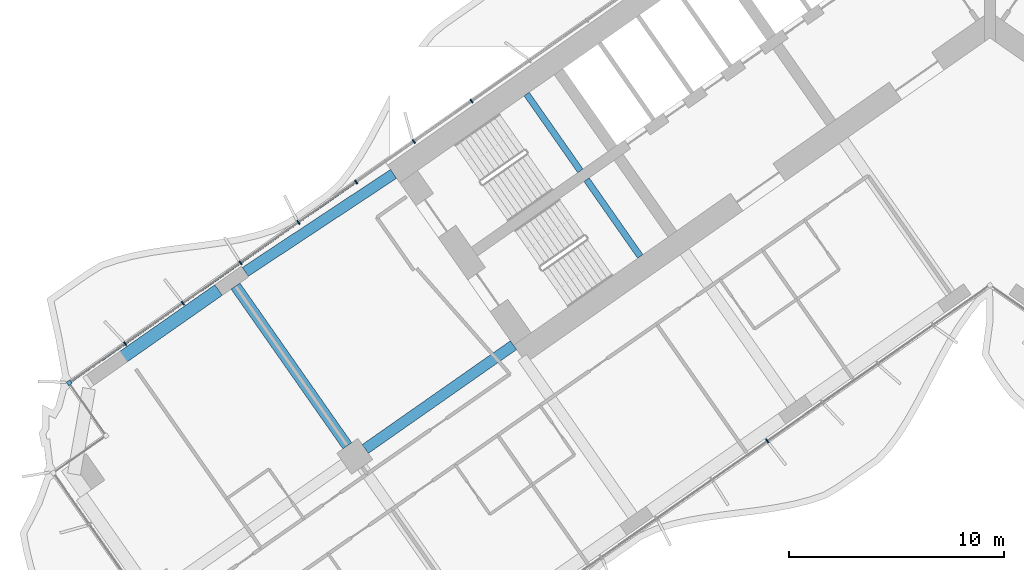
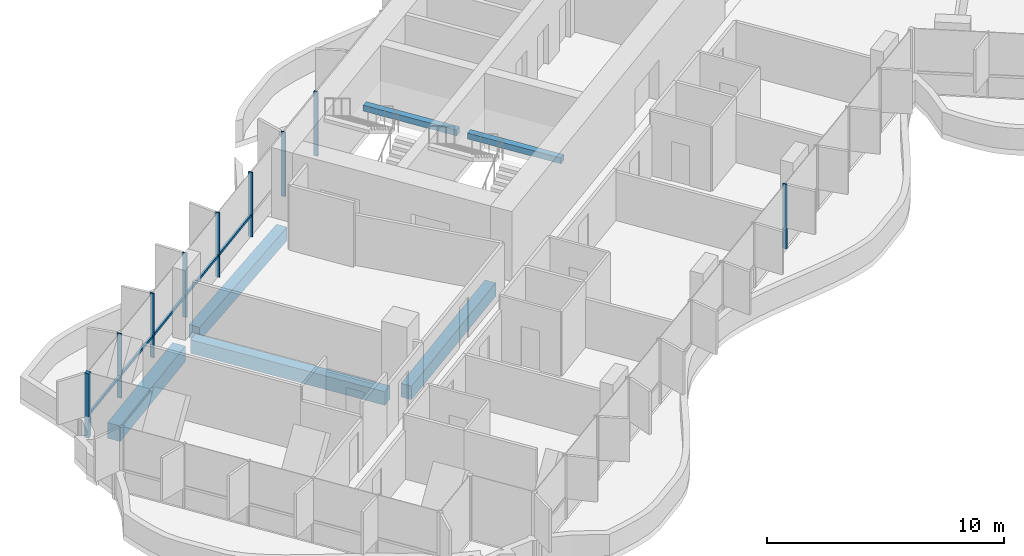
# One storey, part 4 of 23: 10 members, 6 beams, 2 elements without a shape of their own.
"""IFC4 building model written with IfcOpenShell, lengths in metres."""

from ifc_helpers import new_model, si_unit, direction, frame, origin, origin_2d, place, context, subcontext, project, spatial, rectangle, extrude, material, material_profile, profile_set, type_object, element, aggregate, save


model = new_model("IFC4")

# Units and contexts
model_context = context("Model", 3, precision=1e-05, world=origin(), true_north=direction((0.0, 1.0)))
body_context = subcontext(model_context, "Body", "Model", "MODEL_VIEW")
ifc_project = project(units=[si_unit("LENGTHUNIT", "METRE"), si_unit("AREAUNIT", "SQUARE_METRE"), si_unit("VOLUMEUNIT", "CUBIC_METRE"), si_unit("PLANEANGLEUNIT", "RADIAN"), si_unit("MASSUNIT", "GRAM", prefix="KILO")], contexts=[model_context])

# Site, building, storey
site_placement = place(None, origin())
site = spatial("IfcSite", under=ifc_project, at=site_placement, CompositionType="ELEMENT")
building_placement = place(site_placement, origin())
building = spatial("IfcBuilding", under=site, at=building_placement, Name="Tel Ilan Convention Tower", CompositionType="ELEMENT")
storey_placement = place(building_placement, frame((0.0, 0.0, 94.10009765625)))
storey = spatial("IfcBuildingStorey", under=building, at=storey_placement, Name="L19", CompositionType="ELEMENT", Elevation=94.10009765625)

# Beams
ifc_material_1 = material(Name="Concrete C40/50", Category="concrete")
ifc_material_profile_1 = material_profile(ifc_material_1, rectangle(XDim=0.5, YDim=0.699951171875, at=origin_2d()), Name="RC 500x700")
ifc_profile_set_1 = profile_set([ifc_material_profile_1], Name="Concrete C40/50")
beam_type_1 = type_object("IfcBeamType", Name="Beam RC 500x700 Concrete C40/50", PredefinedType="BEAM", material=ifc_profile_set_1)
beam_1_placement = place(storey_placement, frame((-34.570556640625, -12.08447265625, -0.630126953125), z_axis=(0.834273603487, 0.551350663847, 0.0), x_axis=(-0.551350663847, 0.834273603487, 0.0)))
element("IfcBeam", 1, at=beam_1_placement, inside=storey, type_object=beam_type_1, Name="L19 beam W-W-B4-core", PredefinedType="BEAM", context=body_context, shape_type="SweptSolid", body=[
    extrude(rectangle(XDim=0.5, YDim=0.699951171875, at=origin_2d()), origin(), (0.0, 0.0, 1.0), 8.2529296875),
])
beam_2_placement = place(storey_placement, frame((-22.1171875, -15.486572265625, -0.630126953125), z_axis=(-0.819147254605, -0.573583276668, 0.0), x_axis=(0.573583276668, -0.819147254605, 0.0)))
element("IfcBeam", 2, at=beam_2_placement, inside=storey, type_object=beam_type_1, Name="L19 beam W-core-W-M4", PredefinedType="BEAM", context=body_context, shape_type="SweptSolid", body=[
    extrude(rectangle(XDim=0.5, YDim=0.699951171875, at=origin_2d()), origin(), (0.0, 0.0, 1.0), 8.400146484375),
])
beam_3_placement = place(storey_placement, frame((-29.83349609375, -20.1572265625, -0.630126953125), z_axis=(-0.57358002233, 0.819149533348, 0.0), x_axis=(-0.819149533348, -0.57358002233, 0.0)))
element("IfcBeam", 3, at=beam_3_placement, inside=storey, type_object=beam_type_1, Name="L19 beam W-W-M4-W-B4", PredefinedType="BEAM", context=body_context, shape_type="SweptSolid", body=[
    extrude(rectangle(XDim=0.5, YDim=0.699951171875, at=origin_2d()), origin(), (0.0, 0.0, 1.0), 9.050048828125),
])
ifc_material_2 = material(Name="Concrete C40/50", Category="concrete")
ifc_material_profile_2 = material_profile(ifc_material_2, rectangle(XDim=0.60009765625, YDim=0.800048828125, at=origin_2d()), Name="RC 600x800")
ifc_profile_set_2 = profile_set([ifc_material_profile_2], Name="Concrete C40/50")
beam_type_2 = type_object("IfcBeamType", Name="Beam RC 600x800 Concrete C40/50", PredefinedType="BEAM", material=ifc_profile_set_2)
beam_4_placement = place(storey_placement, frame((-41.135498046875, -16.656494140625, -0.68017578125), z_axis=(0.819178980414, 0.573537965655, 0.0), x_axis=(-0.573537965655, 0.819178980414, 0.0)))
element("IfcBeam", 4, at=beam_4_placement, inside=storey, type_object=beam_type_2, Name="L19 beam W-W-BC-W-B4", PredefinedType="BEAM", context=body_context, shape_type="SweptSolid", body=[
    extrude(rectangle(XDim=0.60009765625, YDim=0.800048828125, at=origin_2d()), origin(), (0.0, 0.0, 1.0), 6.5),
])

# Curtain wall, member
ifc_material_3 = material(Name="Aluminium, bronze anodised", Category="aluminium")
curtain_wall_type_1 = type_object("IfcCurtainWallType", Name="CW1 UNITISED CURTAIN WALL, HOTEL TINTED GLASS", PredefinedType="NOTDEFINED", material=ifc_material_3)
curtain_wall_1_placement = place(storey_placement, origin())
curtain_wall_1 = element("IfcCurtainWall", 5, at=curtain_wall_1_placement, inside=storey, type_object=curtain_wall_type_1, Name="Curtain wall CW1-17.02", PredefinedType="NOTDEFINED")
ifc_material_4 = material(Name="Aluminium, bronze anodised", Category="aluminium")
ifc_material_profile_3 = material_profile(ifc_material_4, rectangle(XDim=0.199951171875, YDim=0.199951171875, at=origin_2d()), Name="CW CORNER MULLION 200x200")
ifc_profile_set_3 = profile_set([ifc_material_profile_3], Name="Aluminium, bronze anodised")
member_type_1 = type_object("IfcMemberType", Name="CW CORNER MULLION 200x200", PredefinedType="MULLION", material=ifc_profile_set_3)
member_1_placement = place(storey_placement, frame((-42.7451171875, -17.234375, 0.0), z_axis=(0.0, 0.0, 1.0), x_axis=(-0.819152044289, -0.573576436351, 0.0)))
member_1 = element("IfcMember", 6, at=member_1_placement, type_object=member_type_1, Name="Corner mullion", PredefinedType="MULLION", context=body_context, shape_type="SweptSolid", body=[
    extrude(rectangle(XDim=0.199951171875, YDim=0.199951171875, at=origin_2d()), origin(), (0.0, 0.0, 1.0), 3.31982421875),
])

# Curtain wall, members
ifc_material_5 = material(Name="Aluminium, bronze anodised", Category="aluminium")
curtain_wall_type_2 = type_object("IfcCurtainWallType", Name="CW2 STICK CURTAIN WALL, SPANDREL PANELS", PredefinedType="NOTDEFINED", material=ifc_material_5)
curtain_wall_2_placement = place(storey_placement, origin())
curtain_wall_2 = element("IfcCurtainWall", 7, at=curtain_wall_2_placement, inside=storey, type_object=curtain_wall_type_2, Name="Curtain wall CW2-17.01", PredefinedType="NOTDEFINED")
ifc_material_6 = material(Name="Aluminium, bronze anodised", Category="aluminium")
ifc_material_profile_4 = material_profile(ifc_material_6, rectangle(XDim=0.06005859375, YDim=0.199951171875, at=origin_2d()), Name="CW MULLION 60x200")
ifc_profile_set_4 = profile_set([ifc_material_profile_4], Name="Aluminium, bronze anodised")
member_type_2 = type_object("IfcMemberType", Name="CW MULLION 60x200", PredefinedType="MULLION", material=ifc_profile_set_4)
member_2_placement = place(storey_placement, frame((-24.065185546875, -4.154541015625, 0.0), z_axis=(0.0, 0.0, 1.0), x_axis=(-0.819152044289, -0.573576436351, 0.0)))
member_2 = element("IfcMember", 8, at=member_2_placement, type_object=member_type_2, Name="Mullion", PredefinedType="MULLION", context=body_context, shape_type="SweptSolid", body=[
    extrude(rectangle(XDim=0.06005859375, YDim=0.199951171875, at=origin_2d()), origin(), (0.0, 0.0, 1.0), 3.31982421875),
])
member_3_placement = place(storey_placement, frame((-26.745361328125, -6.03125, 0.0), z_axis=(0.0, 0.0, 1.0), x_axis=(-0.819152044289, -0.573576436351, 0.0)))
member_3 = element("IfcMember", 9, at=member_3_placement, type_object=member_type_2, Name="Mullion", PredefinedType="MULLION", context=body_context, shape_type="SweptSolid", body=[
    extrude(rectangle(XDim=0.06005859375, YDim=0.199951171875, at=origin_2d()), origin(), (0.0, 0.0, 1.0), 3.31982421875),
])
member_4_placement = place(storey_placement, frame((-29.42578125, -7.907958984375, 0.0), z_axis=(0.0, 0.0, 1.0), x_axis=(-0.819152044289, -0.573576436351, 0.0)))
member_4 = element("IfcMember", 10, at=member_4_placement, type_object=member_type_2, Name="Mullion", PredefinedType="MULLION", context=body_context, shape_type="SweptSolid", body=[
    extrude(rectangle(XDim=0.06005859375, YDim=0.199951171875, at=origin_2d()), origin(), (0.0, 0.0, 1.0), 3.31982421875),
])
aggregate(curtain_wall_2, [member_2, member_3, member_4])

# Member
member_5_placement = place(storey_placement, frame((-32.10595703125, -9.78466796875, 0.0), z_axis=(0.0, 0.0, 1.0), x_axis=(-0.819152044289, -0.573576436351, 0.0)))
member_5 = element("IfcMember", 11, at=member_5_placement, type_object=member_type_2, Name="Mullion", PredefinedType="MULLION", context=body_context, shape_type="SweptSolid", body=[
    extrude(rectangle(XDim=0.06005859375, YDim=0.199951171875, at=origin_2d()), origin(), (0.0, 0.0, 1.0), 3.31982421875),
])

member_6_placement = place(storey_placement, frame((-34.7861328125, -11.66162109375, 0.0), z_axis=(0.0, 0.0, 1.0), x_axis=(-0.819152044289, -0.573576436351, 0.0)))
member_6 = element("IfcMember", 12, at=member_6_placement, type_object=member_type_2, Name="Mullion", PredefinedType="MULLION", context=body_context, shape_type="SweptSolid", body=[
    extrude(rectangle(XDim=0.06005859375, YDim=0.199951171875, at=origin_2d()), origin(), (0.0, 0.0, 1.0), 3.31982421875),
])

member_7_placement = place(storey_placement, frame((-37.466552734375, -13.538330078125, 0.0), z_axis=(0.0, 0.0, 1.0), x_axis=(-0.819152044289, -0.573576436351, 0.0)))
member_7 = element("IfcMember", 13, at=member_7_placement, type_object=member_type_2, Name="Mullion", PredefinedType="MULLION", context=body_context, shape_type="SweptSolid", body=[
    extrude(rectangle(XDim=0.06005859375, YDim=0.199951171875, at=origin_2d()), origin(), (0.0, 0.0, 1.0), 3.31982421875),
])

member_8_placement = place(storey_placement, frame((-40.146728515625, -15.4150390625, 0.0), z_axis=(0.0, 0.0, 1.0), x_axis=(-0.819152044289, -0.573576436351, 0.0)))
member_8 = element("IfcMember", 14, at=member_8_placement, type_object=member_type_2, Name="Mullion", PredefinedType="MULLION", context=body_context, shape_type="SweptSolid", body=[
    extrude(rectangle(XDim=0.06005859375, YDim=0.199951171875, at=origin_2d()), origin(), (0.0, 0.0, 1.0), 3.31982421875),
])

member_9_placement = place(storey_placement, frame((-10.337158203125, -19.93408203125, 0.0), z_axis=(0.0, 0.0, 1.0), x_axis=(0.819152044289, 0.573576436351, 0.0)))
member_9 = element("IfcMember", 15, at=member_9_placement, type_object=member_type_2, Name="Mullion", PredefinedType="MULLION", context=body_context, shape_type="SweptSolid", body=[
    extrude(rectangle(XDim=0.06005859375, YDim=0.199951171875, at=origin_2d()), origin(), (0.0, 0.0, 1.0), 3.31982421875),
])

ifc_material_7 = material(Name="Aluminium, bronze anodised", Category="aluminium")
ifc_material_profile_5 = material_profile(ifc_material_7, rectangle(XDim=0.10009765625, YDim=0.1201171875, at=origin_2d()), Name="CW TRANSOM 100x120")
ifc_profile_set_5 = profile_set([ifc_material_profile_5], Name="Aluminium, bronze anodised")
member_type_3 = type_object("IfcMemberType", Name="CW TRANSOM 100x120", PredefinedType="USERDEFINED", material=ifc_profile_set_5)
member_10_placement = place(storey_placement, frame((-29.4501953125, -7.92529296875, 1.099853515625), z_axis=(-0.819153693934, -0.573574080407, 0.0), x_axis=(0.573574080407, -0.819153693934, 0.0)))
member_10 = element("IfcMember", 16, at=member_10_placement, type_object=member_type_3, Name="Transom", ObjectType="TRANSOM", PredefinedType="USERDEFINED", context=body_context, shape_type="SweptSolid", body=[
    extrude(rectangle(XDim=0.10009765625, YDim=0.1201171875, at=origin_2d()), origin(), (0.0, 0.0, 1.0), 16.1298828125),
])

aggregate(curtain_wall_1, [member_5, member_6, member_7, member_8, member_1, member_10, member_9])

# Beams
ifc_material_8 = material(Name="Concrete C40/50", Category="concrete")
ifc_material_profile_6 = material_profile(ifc_material_8, rectangle(XDim=0.300048828125, YDim=0.300048828125, at=origin_2d()), Name="RC 300x300")
ifc_profile_set_6 = profile_set([ifc_material_profile_6], Name="Concrete C40/50")
beam_type_3 = type_object("IfcBeamType", Name="Landing Beam RC 300x300 Concrete C40/50", PredefinedType="BEAM", material=ifc_profile_set_6)
beam_5_placement = place(storey_placement, frame((-19.013671875, -7.392822265625, 1.449951171875), z_axis=(-0.57356780395, 0.819158088694, 0.0), x_axis=(-0.819158088694, -0.57356780395, 0.0)))
element("IfcBeam", 17, at=beam_5_placement, inside=storey, type_object=beam_type_3, Name="S1 landing beam L19.1", PredefinedType="BEAM", context=body_context, shape_type="SweptSolid", body=[
    extrude(rectangle(XDim=0.300048828125, YDim=0.300048828125, at=origin_2d()), origin(), (0.0, 0.0, 1.0), 4.35009765625),
])
beam_6_placement = place(storey_placement, frame((-16.231689453125, -11.365478515625, 1.449951171875), z_axis=(-0.573594173421, 0.819139624372, 0.0), x_axis=(-0.819139624372, -0.573594173421, 0.0)))
element("IfcBeam", 18, at=beam_6_placement, inside=storey, type_object=beam_type_3, Name="S2 landing beam L19.1", PredefinedType="BEAM", context=body_context, shape_type="SweptSolid", body=[
    extrude(rectangle(XDim=0.300048828125, YDim=0.300048828125, at=origin_2d()), origin(), (0.0, 0.0, 1.0), 4.349853515625),
])

save(model, "model.ifc")
